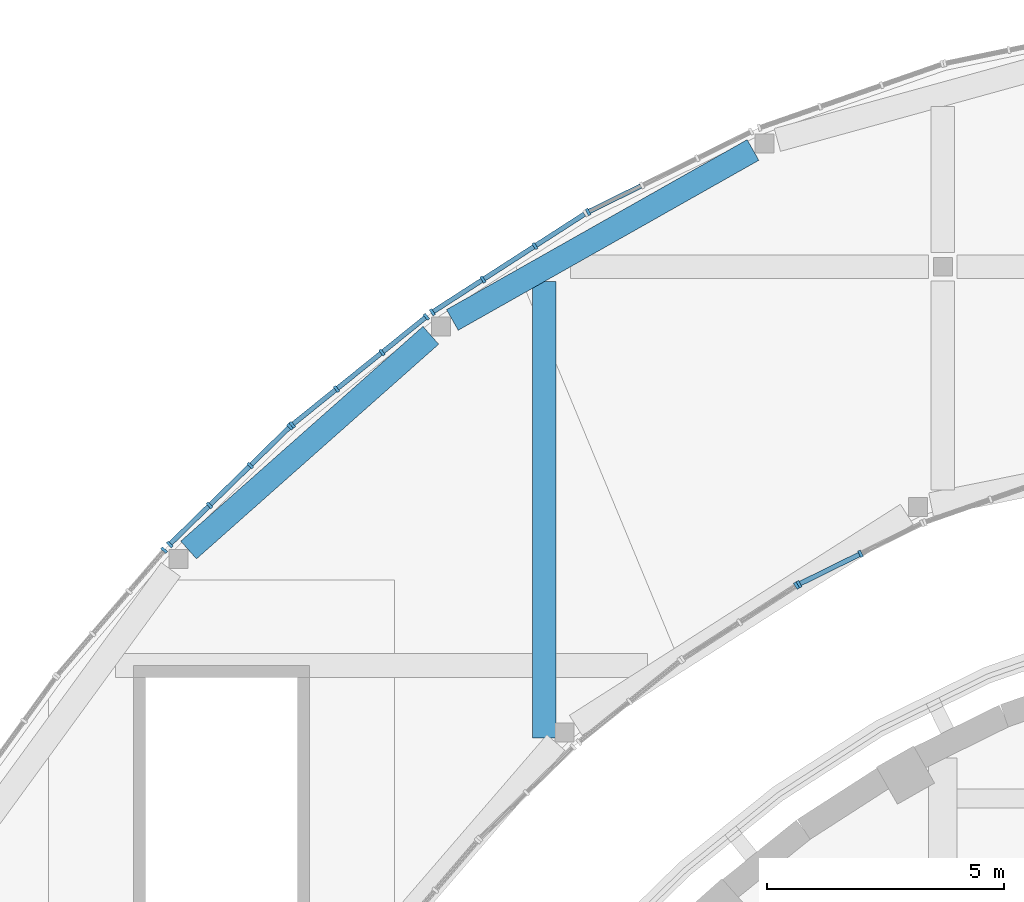
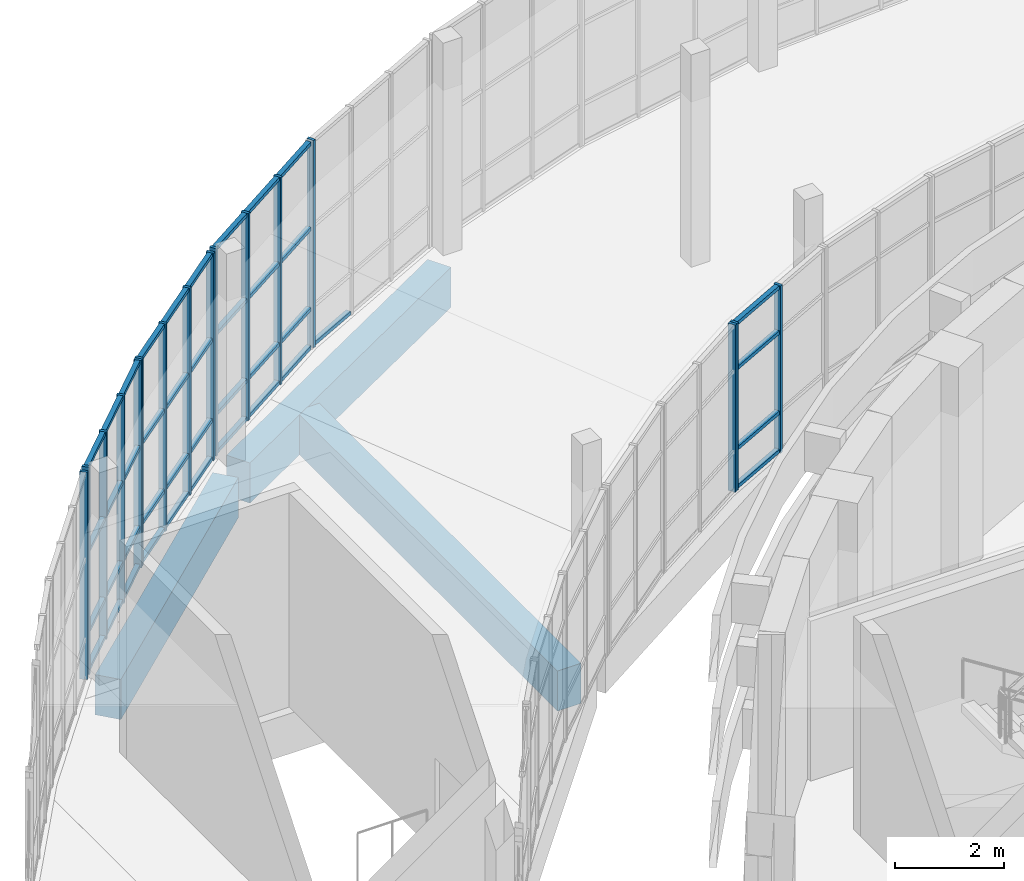
# One storey, part 20 of 103: 57 members, 3 beams, 7 elements without a shape of their own.
"""IFC4 building model written with IfcOpenShell, lengths in metres."""

from ifc_helpers import new_model, si_unit, direction, frame, origin, origin_2d, place, context, subcontext, project, spatial, rectangle, extrude, material, layer, layer_set, material_profile, profile_set, type_object, element, aggregate, save


model = new_model("IFC4")

# Units and contexts
model_context = context("Model", 3, precision=1e-05, world=origin(), true_north=direction((0.0, 1.0)))
body_context = subcontext(model_context, "Body", "Model", "MODEL_VIEW")
ifc_project = project(units=[si_unit("LENGTHUNIT", "METRE"), si_unit("AREAUNIT", "SQUARE_METRE"), si_unit("VOLUMEUNIT", "CUBIC_METRE"), si_unit("PLANEANGLEUNIT", "RADIAN"), si_unit("MASSUNIT", "GRAM", prefix="KILO")], contexts=[model_context])

# Site, building, storey
site_placement = place(None, origin())
site = spatial("IfcSite", under=ifc_project, at=site_placement, CompositionType="ELEMENT")
building_placement = place(site_placement, origin())
building = spatial("IfcBuilding", under=site, at=building_placement, Name="Larchfold Concert Hall", CompositionType="ELEMENT")
storey_placement = place(building_placement, frame((0.0, 0.0, 9.60009765625)))
storey = spatial("IfcBuildingStorey", under=building, at=storey_placement, Name="L02", CompositionType="ELEMENT", Elevation=9.60009765625)

# Curtain wall, member
ifc_material_1 = material(Name="Anodised graphite aluminium curtain wall", Category="aluminium")
ifc_layer = layer(ifc_material_1, 0.14990234375)
ifc_layer_set = layer_set([ifc_layer], Name="Anodised graphite aluminium curtain wall")
curtain_wall_type = type_object("IfcCurtainWallType", Name="Curtain wall WG", PredefinedType="NOTDEFINED", material=ifc_layer_set)
curtain_wall_1_placement = place(storey_placement, origin())
curtain_wall_1 = element("IfcCurtainWall", 1, at=curtain_wall_1_placement, inside=storey, type_object=curtain_wall_type, Name="Curtain wall CW0238", PredefinedType="NOTDEFINED")
ifc_material_2 = material(Name="Anodised graphite aluminium mullion", Category="aluminium")
ifc_material_profile_1 = material_profile(ifc_material_2, rectangle(XDim=0.14990234375, YDim=0.06005859375, at=origin_2d()))
ifc_profile_set_1 = profile_set([ifc_material_profile_1], Name="Anodised graphite aluminium mullion")
member_type_1 = type_object("IfcMemberType", Name="Aluminium mullion 60x150", PredefinedType="MULLION", material=ifc_profile_set_1)
member_1_placement = place(storey_placement, frame((31.115478515625, 119.881103515625, 0.0), z_axis=(0.0, 0.0, 1.0), x_axis=(-0.541844610619, 0.840478683813, 0.0)))
member_1 = element("IfcMember", 2, at=member_1_placement, type_object=member_type_1, Name="CW0238 mullion 3", PredefinedType="MULLION", context=body_context, shape_type="SweptSolid", body=[
    extrude(rectangle(XDim=0.14990234375, YDim=0.06005859375, at=origin_2d()), origin(), (0.0, 0.0, 1.0), 3.75),
])
aggregate(curtain_wall_1, [member_1])

# Curtain wall, members
curtain_wall_2_placement = place(storey_placement, origin())
curtain_wall_2 = element("IfcCurtainWall", 3, at=curtain_wall_2_placement, inside=storey, type_object=curtain_wall_type, Name="Curtain wall CW0239", PredefinedType="NOTDEFINED")
member_2_placement = place(storey_placement, frame((31.16748046875, 119.91064453125, 0.0), z_axis=(0.0, 0.0, 1.0), x_axis=(-0.442317057699, 0.896858751682, 0.0)))
member_2 = element("IfcMember", 4, at=member_2_placement, type_object=member_type_1, Name="CW0239 mullion 1", PredefinedType="MULLION", context=body_context, shape_type="SweptSolid", body=[
    extrude(rectangle(XDim=0.14990234375, YDim=0.06005859375, at=origin_2d()), origin(), (0.0, 0.0, 1.0), 3.75),
])
member_3_placement = place(storey_placement, frame((32.466064453125, 120.55126953125, 0.0), z_axis=(0.0, 0.0, 1.0), x_axis=(-0.442317057699, 0.896858751682, 0.0)))
member_3 = element("IfcMember", 5, at=member_3_placement, type_object=member_type_1, Name="CW0239 mullion 2", PredefinedType="MULLION", context=body_context, shape_type="SweptSolid", body=[
    extrude(rectangle(XDim=0.14990234375, YDim=0.06005859375, at=origin_2d()), origin(), (0.0, 0.0, 1.0), 3.75),
])

# Curtain wall, member
curtain_wall_3_placement = place(storey_placement, origin())
curtain_wall_3 = element("IfcCurtainWall", 6, at=curtain_wall_3_placement, inside=storey, type_object=curtain_wall_type, Name="Curtain wall CW0258", PredefinedType="NOTDEFINED")
member_4_placement = place(storey_placement, frame((26.724365234375, 127.754150390625, 0.0), z_axis=(0.0, 0.0, 1.0), x_axis=(0.442389932773, -0.896822807126, 0.0)))
member_4 = element("IfcMember", 7, at=member_4_placement, type_object=member_type_1, Name="CW0258 mullion 4", PredefinedType="MULLION", context=body_context, shape_type="SweptSolid", body=[
    extrude(rectangle(XDim=0.14990234375, YDim=0.06005859375, at=origin_2d()), origin(), (0.0, 0.0, 1.0), 4.64990234375),
])

# Curtain wall, members
curtain_wall_4_placement = place(storey_placement, origin())
curtain_wall_4 = element("IfcCurtainWall", 8, at=curtain_wall_4_placement, inside=storey, type_object=curtain_wall_type, Name="Curtain wall CW0259", PredefinedType="NOTDEFINED")
member_5_placement = place(storey_placement, frame((25.603759765625, 127.035888671875, 0.0), z_axis=(0.0, 0.0, 1.0), x_axis=(0.541790679847, -0.840513449762, 0.0)))
member_5 = element("IfcMember", 9, at=member_5_placement, type_object=member_type_1, Name="CW0259 mullion 2", PredefinedType="MULLION", context=body_context, shape_type="SweptSolid", body=[
    extrude(rectangle(XDim=0.14990234375, YDim=0.06005859375, at=origin_2d()), origin(), (0.0, 0.0, 1.0), 4.64990234375),
])
member_6_placement = place(storey_placement, frame((24.509765625, 126.330810546875, 0.0), z_axis=(0.0, 0.0, 1.0), x_axis=(0.541790679847, -0.840513449762, 0.0)))
member_6 = element("IfcMember", 10, at=member_6_placement, type_object=member_type_1, Name="CW0259 mullion 3", PredefinedType="MULLION", context=body_context, shape_type="SweptSolid", body=[
    extrude(rectangle(XDim=0.14990234375, YDim=0.06005859375, at=origin_2d()), origin(), (0.0, 0.0, 1.0), 4.64990234375),
])
member_7_placement = place(storey_placement, frame((23.441162109375, 125.64208984375, 0.0), z_axis=(0.0, 0.0, 1.0), x_axis=(0.541790679847, -0.840513449762, 0.0)))
member_7 = element("IfcMember", 11, at=member_7_placement, type_object=member_type_1, Name="CW0259 mullion 4", PredefinedType="MULLION", context=body_context, shape_type="SweptSolid", body=[
    extrude(rectangle(XDim=0.14990234375, YDim=0.06005859375, at=origin_2d()), origin(), (0.0, 0.0, 1.0), 4.64990234375),
])

curtain_wall_5_placement = place(storey_placement, origin())
curtain_wall_5 = element("IfcCurtainWall", 12, at=curtain_wall_5_placement, inside=storey, type_object=curtain_wall_type, Name="Curtain wall CW0260", PredefinedType="NOTDEFINED")
member_8_placement = place(storey_placement, frame((23.31591796875, 125.54541015625, 0.0), z_axis=(0.0, 0.0, 1.0), x_axis=(0.627001565081, -0.779017995547, 0.0)))
member_8 = element("IfcMember", 13, at=member_8_placement, type_object=member_type_1, Name="CW0260 mullion 1", PredefinedType="MULLION", context=body_context, shape_type="SweptSolid", body=[
    extrude(rectangle(XDim=0.14990234375, YDim=0.06005859375, at=origin_2d()), origin(), (0.0, 0.0, 1.0), 4.64990234375),
])
member_9_placement = place(storey_placement, frame((22.3818359375, 124.79345703125, 0.0), z_axis=(0.0, 0.0, 1.0), x_axis=(0.627001565081, -0.779017995547, 0.0)))
member_9 = element("IfcMember", 14, at=member_9_placement, type_object=member_type_1, Name="CW0260 mullion 2", PredefinedType="MULLION", context=body_context, shape_type="SweptSolid", body=[
    extrude(rectangle(XDim=0.14990234375, YDim=0.06005859375, at=origin_2d()), origin(), (0.0, 0.0, 1.0), 4.64990234375),
])
member_10_placement = place(storey_placement, frame((21.42431640625, 124.02294921875, 0.0), z_axis=(0.0, 0.0, 1.0), x_axis=(0.627001565081, -0.779017995547, 0.0)))
member_10 = element("IfcMember", 15, at=member_10_placement, type_object=member_type_1, Name="CW0260 mullion 3", PredefinedType="MULLION", context=body_context, shape_type="SweptSolid", body=[
    extrude(rectangle(XDim=0.14990234375, YDim=0.06005859375, at=origin_2d()), origin(), (0.0, 0.0, 1.0), 4.64990234375),
])
member_11_placement = place(storey_placement, frame((20.490234375, 123.27099609375, 0.0), z_axis=(0.0, 0.0, 1.0), x_axis=(0.627001565081, -0.779017995547, 0.0)))
member_11 = element("IfcMember", 16, at=member_11_placement, type_object=member_type_1, Name="CW0260 mullion 4", PredefinedType="MULLION", context=body_context, shape_type="SweptSolid", body=[
    extrude(rectangle(XDim=0.14990234375, YDim=0.06005859375, at=origin_2d()), origin(), (0.0, 0.0, 1.0), 4.64990234375),
])

curtain_wall_6_placement = place(storey_placement, origin())
curtain_wall_6 = element("IfcCurtainWall", 17, at=curtain_wall_6_placement, inside=storey, type_object=curtain_wall_type, Name="Curtain wall CW0261", PredefinedType="NOTDEFINED")
member_12_placement = place(storey_placement, frame((20.4453125, 123.231201171875, 0.0), z_axis=(0.0, 0.0, 1.0), x_axis=(0.699146072802, -0.714978859048, 0.0)))
member_12 = element("IfcMember", 18, at=member_12_placement, type_object=member_type_1, Name="CW0261 mullion 1", PredefinedType="MULLION", context=body_context, shape_type="SweptSolid", body=[
    extrude(rectangle(XDim=0.14990234375, YDim=0.06005859375, at=origin_2d()), origin(), (0.0, 0.0, 1.0), 4.64990234375),
])
member_13_placement = place(storey_placement, frame((19.60693359375, 122.411376953125, 0.0), z_axis=(0.0, 0.0, 1.0), x_axis=(0.699146072802, -0.714978859048, 0.0)))
member_13 = element("IfcMember", 19, at=member_13_placement, type_object=member_type_1, Name="CW0261 mullion 2", PredefinedType="MULLION", context=body_context, shape_type="SweptSolid", body=[
    extrude(rectangle(XDim=0.14990234375, YDim=0.06005859375, at=origin_2d()), origin(), (0.0, 0.0, 1.0), 4.64990234375),
])
member_14_placement = place(storey_placement, frame((18.746826171875, 121.5703125, 0.0), z_axis=(0.0, 0.0, 1.0), x_axis=(0.699146072802, -0.714978859048, 0.0)))
member_14 = element("IfcMember", 20, at=member_14_placement, type_object=member_type_1, Name="CW0261 mullion 3", PredefinedType="MULLION", context=body_context, shape_type="SweptSolid", body=[
    extrude(rectangle(XDim=0.14990234375, YDim=0.06005859375, at=origin_2d()), origin(), (0.0, 0.0, 1.0), 4.64990234375),
])
member_15_placement = place(storey_placement, frame((17.908447265625, 120.75048828125, 0.0), z_axis=(0.0, 0.0, 1.0), x_axis=(0.699146072802, -0.714978859048, 0.0)))
member_15 = element("IfcMember", 21, at=member_15_placement, type_object=member_type_1, Name="CW0261 mullion 4", PredefinedType="MULLION", context=body_context, shape_type="SweptSolid", body=[
    extrude(rectangle(XDim=0.14990234375, YDim=0.06005859375, at=origin_2d()), origin(), (0.0, 0.0, 1.0), 4.64990234375),
])

# Curtain wall, member
curtain_wall_7_placement = place(storey_placement, origin())
curtain_wall_7 = element("IfcCurtainWall", 22, at=curtain_wall_7_placement, inside=storey, type_object=curtain_wall_type, Name="Curtain wall CW0262", PredefinedType="NOTDEFINED")
member_16_placement = place(storey_placement, frame((17.792724609375, 120.628173828125, 0.0), z_axis=(0.0, 0.0, 1.0), x_axis=(0.759452023093, -0.650563313306, 0.0)))
member_16 = element("IfcMember", 23, at=member_16_placement, type_object=member_type_1, Name="CW0262 mullion 1", PredefinedType="MULLION", context=body_context, shape_type="SweptSolid", body=[
    extrude(rectangle(XDim=0.14990234375, YDim=0.06005859375, at=origin_2d()), origin(), (0.0, 0.0, 1.0), 4.64990234375),
])
aggregate(curtain_wall_7, [member_16])

# Member
ifc_material_3 = material(Name="Anodised graphite aluminium transom", Category="aluminium")
ifc_material_profile_2 = material_profile(ifc_material_3, rectangle(XDim=0.10009765625, YDim=0.080078125, at=origin_2d()))
ifc_profile_set_2 = profile_set([ifc_material_profile_2], Name="Anodised graphite aluminium transom")
member_type_2 = type_object("IfcMemberType", Name="Aluminium transom 80x100", PredefinedType="USERDEFINED", material=ifc_profile_set_2)
member_17_placement = place(storey_placement, frame((31.1943359375, 119.924072265625, 0.0400390625), z_axis=(0.896911011771, 0.442211077386, 0.0), x_axis=(-0.442211077386, 0.896911011771, 0.0)))
member_17 = element("IfcMember", 24, at=member_17_placement, type_object=member_type_2, Name="CW0239 transom 1.1", ObjectType="TRANSOM", PredefinedType="USERDEFINED", context=body_context, shape_type="SweptSolid", body=[
    extrude(rectangle(XDim=0.10009765625, YDim=0.080078125, at=origin_2d()), origin(), (0.0, 0.0, 1.0), 1.387939453125),
])

member_18_placement = place(storey_placement, frame((31.1943359375, 119.924072265625, 0.89990234375), z_axis=(0.896911011771, 0.442211077386, 0.0), x_axis=(-0.442211077386, 0.896911011771, 0.0)))
member_18 = element("IfcMember", 25, at=member_18_placement, type_object=member_type_2, Name="CW0239 transom 1.2", ObjectType="TRANSOM", PredefinedType="USERDEFINED", context=body_context, shape_type="SweptSolid", body=[
    extrude(rectangle(XDim=0.10009765625, YDim=0.080078125, at=origin_2d()), origin(), (0.0, 0.0, 1.0), 1.387939453125),
])

member_19_placement = place(storey_placement, frame((31.1943359375, 119.924072265625, 2.699951171875), z_axis=(0.896911011771, 0.442211077386, 0.0), x_axis=(-0.442211077386, 0.896911011771, 0.0)))
member_19 = element("IfcMember", 26, at=member_19_placement, type_object=member_type_2, Name="CW0239 transom 1.3", ObjectType="TRANSOM", PredefinedType="USERDEFINED", context=body_context, shape_type="SweptSolid", body=[
    extrude(rectangle(XDim=0.10009765625, YDim=0.080078125, at=origin_2d()), origin(), (0.0, 0.0, 1.0), 1.387939453125),
])

member_20_placement = place(storey_placement, frame((31.1943359375, 119.924072265625, 3.7099609375), z_axis=(0.896911011771, 0.442211077386, 0.0), x_axis=(-0.442211077386, 0.896911011771, 0.0)))
member_20 = element("IfcMember", 27, at=member_20_placement, type_object=member_type_2, Name="CW0239 transom 1.4", ObjectType="TRANSOM", PredefinedType="USERDEFINED", context=body_context, shape_type="SweptSolid", body=[
    extrude(rectangle(XDim=0.10009765625, YDim=0.080078125, at=origin_2d()), origin(), (0.0, 0.0, 1.0), 1.387939453125),
])

aggregate(curtain_wall_2, [member_2, member_3, member_17, member_18, member_19, member_20])

member_21_placement = place(storey_placement, frame((27.834228515625, 128.3017578125, 0.0400390625), z_axis=(-0.896840107572, -0.44235485919, 0.0), x_axis=(0.44235485919, -0.896840107572, 0.0)))
member_21 = element("IfcMember", 28, at=member_21_placement, type_object=member_type_2, Name="CW0258 transom 3.1", ObjectType="TRANSOM", PredefinedType="USERDEFINED", context=body_context, shape_type="SweptSolid", body=[
    extrude(rectangle(XDim=0.10009765625, YDim=0.080078125, at=origin_2d()), origin(), (0.0, 0.0, 1.0), 1.20751953125),
])

aggregate(curtain_wall_3, [member_4, member_21])

member_22_placement = place(storey_placement, frame((26.64697265625, 127.70849609375, 0.0400390625), z_axis=(-0.840509844048, -0.541796273573, 0.0), x_axis=(0.541796273573, -0.840509844048, 0.0)))
member_22 = element("IfcMember", 29, at=member_22_placement, type_object=member_type_2, Name="CW0259 transom 1.1", ObjectType="TRANSOM", PredefinedType="USERDEFINED", context=body_context, shape_type="SweptSolid", body=[
    extrude(rectangle(XDim=0.10009765625, YDim=0.080078125, at=origin_2d()), origin(), (0.0, 0.0, 1.0), 1.211181640625),
])

member_23_placement = place(storey_placement, frame((26.64697265625, 127.70849609375, 0.89990234375), z_axis=(-0.840509844048, -0.541796273573, 0.0), x_axis=(0.541796273573, -0.840509844048, 0.0)))
member_23 = element("IfcMember", 30, at=member_23_placement, type_object=member_type_2, Name="CW0259 transom 1.2", ObjectType="TRANSOM", PredefinedType="USERDEFINED", context=body_context, shape_type="SweptSolid", body=[
    extrude(rectangle(XDim=0.10009765625, YDim=0.080078125, at=origin_2d()), origin(), (0.0, 0.0, 1.0), 1.211181640625),
])

member_24_placement = place(storey_placement, frame((26.64697265625, 127.70849609375, 2.699951171875), z_axis=(-0.840509844048, -0.541796273573, 0.0), x_axis=(0.541796273573, -0.840509844048, 0.0)))
member_24 = element("IfcMember", 31, at=member_24_placement, type_object=member_type_2, Name="CW0259 transom 1.3", ObjectType="TRANSOM", PredefinedType="USERDEFINED", context=body_context, shape_type="SweptSolid", body=[
    extrude(rectangle(XDim=0.10009765625, YDim=0.080078125, at=origin_2d()), origin(), (0.0, 0.0, 1.0), 1.211181640625),
])

member_25_placement = place(storey_placement, frame((26.64697265625, 127.70849609375, 4.60986328125), z_axis=(-0.840509844048, -0.541796273573, 0.0), x_axis=(0.541796273573, -0.840509844048, 0.0)))
member_25 = element("IfcMember", 32, at=member_25_placement, type_object=member_type_2, Name="CW0259 transom 1.4", ObjectType="TRANSOM", PredefinedType="USERDEFINED", context=body_context, shape_type="SweptSolid", body=[
    extrude(rectangle(XDim=0.10009765625, YDim=0.080078125, at=origin_2d()), origin(), (0.0, 0.0, 1.0), 1.211181640625),
])

member_26_placement = place(storey_placement, frame((25.578369140625, 127.01953125, 0.0400390625), z_axis=(-0.840545158362, -0.54174148517, 0.0), x_axis=(0.54174148517, -0.840545158362, 0.0)))
member_26 = element("IfcMember", 33, at=member_26_placement, type_object=member_type_2, Name="CW0259 transom 2.1", ObjectType="TRANSOM", PredefinedType="USERDEFINED", context=body_context, shape_type="SweptSolid", body=[
    extrude(rectangle(XDim=0.10009765625, YDim=0.080078125, at=origin_2d()), origin(), (0.0, 0.0, 1.0), 1.2412109375),
])

member_27_placement = place(storey_placement, frame((25.578369140625, 127.01953125, 0.89990234375), z_axis=(-0.840545158362, -0.54174148517, 0.0), x_axis=(0.54174148517, -0.840545158362, 0.0)))
member_27 = element("IfcMember", 34, at=member_27_placement, type_object=member_type_2, Name="CW0259 transom 2.2", ObjectType="TRANSOM", PredefinedType="USERDEFINED", context=body_context, shape_type="SweptSolid", body=[
    extrude(rectangle(XDim=0.10009765625, YDim=0.080078125, at=origin_2d()), origin(), (0.0, 0.0, 1.0), 1.2412109375),
])

member_28_placement = place(storey_placement, frame((25.578369140625, 127.01953125, 2.699951171875), z_axis=(-0.840545158362, -0.54174148517, 0.0), x_axis=(0.54174148517, -0.840545158362, 0.0)))
member_28 = element("IfcMember", 35, at=member_28_placement, type_object=member_type_2, Name="CW0259 transom 2.3", ObjectType="TRANSOM", PredefinedType="USERDEFINED", context=body_context, shape_type="SweptSolid", body=[
    extrude(rectangle(XDim=0.10009765625, YDim=0.080078125, at=origin_2d()), origin(), (0.0, 0.0, 1.0), 1.2412109375),
])

member_29_placement = place(storey_placement, frame((25.578369140625, 127.01953125, 4.60986328125), z_axis=(-0.840545158362, -0.54174148517, 0.0), x_axis=(0.54174148517, -0.840545158362, 0.0)))
member_29 = element("IfcMember", 36, at=member_29_placement, type_object=member_type_2, Name="CW0259 transom 2.4", ObjectType="TRANSOM", PredefinedType="USERDEFINED", context=body_context, shape_type="SweptSolid", body=[
    extrude(rectangle(XDim=0.10009765625, YDim=0.080078125, at=origin_2d()), origin(), (0.0, 0.0, 1.0), 1.2412109375),
])

member_30_placement = place(storey_placement, frame((24.484619140625, 126.314453125, 0.0400390625), z_axis=(-0.840509844048, -0.541796273573, 0.0), x_axis=(0.541796273573, -0.840509844048, 0.0)))
member_30 = element("IfcMember", 37, at=member_30_placement, type_object=member_type_2, Name="CW0259 transom 3.1", ObjectType="TRANSOM", PredefinedType="USERDEFINED", context=body_context, shape_type="SweptSolid", body=[
    extrude(rectangle(XDim=0.10009765625, YDim=0.080078125, at=origin_2d()), origin(), (0.0, 0.0, 1.0), 1.211181640625),
])

member_31_placement = place(storey_placement, frame((24.484619140625, 126.314453125, 0.89990234375), z_axis=(-0.840509844048, -0.541796273573, 0.0), x_axis=(0.541796273573, -0.840509844048, 0.0)))
member_31 = element("IfcMember", 38, at=member_31_placement, type_object=member_type_2, Name="CW0259 transom 3.2", ObjectType="TRANSOM", PredefinedType="USERDEFINED", context=body_context, shape_type="SweptSolid", body=[
    extrude(rectangle(XDim=0.10009765625, YDim=0.080078125, at=origin_2d()), origin(), (0.0, 0.0, 1.0), 1.211181640625),
])

member_32_placement = place(storey_placement, frame((24.484619140625, 126.314453125, 2.699951171875), z_axis=(-0.840509844048, -0.541796273573, 0.0), x_axis=(0.541796273573, -0.840509844048, 0.0)))
member_32 = element("IfcMember", 39, at=member_32_placement, type_object=member_type_2, Name="CW0259 transom 3.3", ObjectType="TRANSOM", PredefinedType="USERDEFINED", context=body_context, shape_type="SweptSolid", body=[
    extrude(rectangle(XDim=0.10009765625, YDim=0.080078125, at=origin_2d()), origin(), (0.0, 0.0, 1.0), 1.211181640625),
])

member_33_placement = place(storey_placement, frame((24.484619140625, 126.314453125, 4.60986328125), z_axis=(-0.840509844048, -0.541796273573, 0.0), x_axis=(0.541796273573, -0.840509844048, 0.0)))
member_33 = element("IfcMember", 40, at=member_33_placement, type_object=member_type_2, Name="CW0259 transom 3.4", ObjectType="TRANSOM", PredefinedType="USERDEFINED", context=body_context, shape_type="SweptSolid", body=[
    extrude(rectangle(XDim=0.10009765625, YDim=0.080078125, at=origin_2d()), origin(), (0.0, 0.0, 1.0), 1.211181640625),
])

aggregate(curtain_wall_4, [member_5, member_6, member_7, member_22, member_23, member_24, member_25, member_26, member_27, member_28, member_29, member_30, member_31, member_32, member_33])

member_34_placement = place(storey_placement, frame((23.292724609375, 125.526611328125, 0.0400390625), z_axis=(-0.778983601012, -0.627044296166, 0.0), x_axis=(0.627044296166, -0.778983601012, 0.0)))
member_34 = element("IfcMember", 41, at=member_34_placement, type_object=member_type_2, Name="CW0260 transom 1.1", ObjectType="TRANSOM", PredefinedType="USERDEFINED", context=body_context, shape_type="SweptSolid", body=[
    extrude(rectangle(XDim=0.10009765625, YDim=0.080078125, at=origin_2d()), origin(), (0.0, 0.0, 1.0), 1.13916015625),
])

member_35_placement = place(storey_placement, frame((23.292724609375, 125.526611328125, 0.89990234375), z_axis=(-0.778983601012, -0.627044296166, 0.0), x_axis=(0.627044296166, -0.778983601012, 0.0)))
member_35 = element("IfcMember", 42, at=member_35_placement, type_object=member_type_2, Name="CW0260 transom 1.2", ObjectType="TRANSOM", PredefinedType="USERDEFINED", context=body_context, shape_type="SweptSolid", body=[
    extrude(rectangle(XDim=0.10009765625, YDim=0.080078125, at=origin_2d()), origin(), (0.0, 0.0, 1.0), 1.13916015625),
])

member_36_placement = place(storey_placement, frame((23.292724609375, 125.526611328125, 2.699951171875), z_axis=(-0.778983601012, -0.627044296166, 0.0), x_axis=(0.627044296166, -0.778983601012, 0.0)))
member_36 = element("IfcMember", 43, at=member_36_placement, type_object=member_type_2, Name="CW0260 transom 1.3", ObjectType="TRANSOM", PredefinedType="USERDEFINED", context=body_context, shape_type="SweptSolid", body=[
    extrude(rectangle(XDim=0.10009765625, YDim=0.080078125, at=origin_2d()), origin(), (0.0, 0.0, 1.0), 1.13916015625),
])

member_37_placement = place(storey_placement, frame((23.292724609375, 125.526611328125, 4.60986328125), z_axis=(-0.778983601012, -0.627044296166, 0.0), x_axis=(0.627044296166, -0.778983601012, 0.0)))
member_37 = element("IfcMember", 44, at=member_37_placement, type_object=member_type_2, Name="CW0260 transom 1.4", ObjectType="TRANSOM", PredefinedType="USERDEFINED", context=body_context, shape_type="SweptSolid", body=[
    extrude(rectangle(XDim=0.10009765625, YDim=0.080078125, at=origin_2d()), origin(), (0.0, 0.0, 1.0), 1.13916015625),
])

member_38_placement = place(storey_placement, frame((22.3583984375, 124.774658203125, 0.0400390625), z_axis=(-0.779031590247, -0.626984673973, 0.0), x_axis=(0.626984673973, -0.779031590247, 0.0)))
member_38 = element("IfcMember", 45, at=member_38_placement, type_object=member_type_2, Name="CW0260 transom 2.1", ObjectType="TRANSOM", PredefinedType="USERDEFINED", context=body_context, shape_type="SweptSolid", body=[
    extrude(rectangle(XDim=0.10009765625, YDim=0.080078125, at=origin_2d()), origin(), (0.0, 0.0, 1.0), 1.1689453125),
])

member_39_placement = place(storey_placement, frame((22.3583984375, 124.774658203125, 0.89990234375), z_axis=(-0.779031590247, -0.626984673973, 0.0), x_axis=(0.626984673973, -0.779031590247, 0.0)))
member_39 = element("IfcMember", 46, at=member_39_placement, type_object=member_type_2, Name="CW0260 transom 2.2", ObjectType="TRANSOM", PredefinedType="USERDEFINED", context=body_context, shape_type="SweptSolid", body=[
    extrude(rectangle(XDim=0.10009765625, YDim=0.080078125, at=origin_2d()), origin(), (0.0, 0.0, 1.0), 1.1689453125),
])

member_40_placement = place(storey_placement, frame((22.3583984375, 124.774658203125, 2.699951171875), z_axis=(-0.779031590247, -0.626984673973, 0.0), x_axis=(0.626984673973, -0.779031590247, 0.0)))
member_40 = element("IfcMember", 47, at=member_40_placement, type_object=member_type_2, Name="CW0260 transom 2.3", ObjectType="TRANSOM", PredefinedType="USERDEFINED", context=body_context, shape_type="SweptSolid", body=[
    extrude(rectangle(XDim=0.10009765625, YDim=0.080078125, at=origin_2d()), origin(), (0.0, 0.0, 1.0), 1.1689453125),
])

member_41_placement = place(storey_placement, frame((22.3583984375, 124.774658203125, 4.60986328125), z_axis=(-0.779031590247, -0.626984673973, 0.0), x_axis=(0.626984673973, -0.779031590247, 0.0)))
member_41 = element("IfcMember", 48, at=member_41_placement, type_object=member_type_2, Name="CW0260 transom 2.4", ObjectType="TRANSOM", PredefinedType="USERDEFINED", context=body_context, shape_type="SweptSolid", body=[
    extrude(rectangle(XDim=0.10009765625, YDim=0.080078125, at=origin_2d()), origin(), (0.0, 0.0, 1.0), 1.1689453125),
])

member_42_placement = place(storey_placement, frame((21.40087890625, 124.004150390625, 0.0400390625), z_axis=(-0.778983601012, -0.627044296166, 0.0), x_axis=(0.627044296166, -0.778983601012, 0.0)))
member_42 = element("IfcMember", 49, at=member_42_placement, type_object=member_type_2, Name="CW0260 transom 3.1", ObjectType="TRANSOM", PredefinedType="USERDEFINED", context=body_context, shape_type="SweptSolid", body=[
    extrude(rectangle(XDim=0.10009765625, YDim=0.080078125, at=origin_2d()), origin(), (0.0, 0.0, 1.0), 1.13916015625),
])

member_43_placement = place(storey_placement, frame((21.40087890625, 124.004150390625, 0.89990234375), z_axis=(-0.778983601012, -0.627044296166, 0.0), x_axis=(0.627044296166, -0.778983601012, 0.0)))
member_43 = element("IfcMember", 50, at=member_43_placement, type_object=member_type_2, Name="CW0260 transom 3.2", ObjectType="TRANSOM", PredefinedType="USERDEFINED", context=body_context, shape_type="SweptSolid", body=[
    extrude(rectangle(XDim=0.10009765625, YDim=0.080078125, at=origin_2d()), origin(), (0.0, 0.0, 1.0), 1.13916015625),
])

member_44_placement = place(storey_placement, frame((21.40087890625, 124.004150390625, 2.699951171875), z_axis=(-0.778983601012, -0.627044296166, 0.0), x_axis=(0.627044296166, -0.778983601012, 0.0)))
member_44 = element("IfcMember", 51, at=member_44_placement, type_object=member_type_2, Name="CW0260 transom 3.3", ObjectType="TRANSOM", PredefinedType="USERDEFINED", context=body_context, shape_type="SweptSolid", body=[
    extrude(rectangle(XDim=0.10009765625, YDim=0.080078125, at=origin_2d()), origin(), (0.0, 0.0, 1.0), 1.13916015625),
])

member_45_placement = place(storey_placement, frame((21.40087890625, 124.004150390625, 4.60986328125), z_axis=(-0.778983601012, -0.627044296166, 0.0), x_axis=(0.627044296166, -0.778983601012, 0.0)))
member_45 = element("IfcMember", 52, at=member_45_placement, type_object=member_type_2, Name="CW0260 transom 3.4", ObjectType="TRANSOM", PredefinedType="USERDEFINED", context=body_context, shape_type="SweptSolid", body=[
    extrude(rectangle(XDim=0.10009765625, YDim=0.080078125, at=origin_2d()), origin(), (0.0, 0.0, 1.0), 1.13916015625),
])

aggregate(curtain_wall_5, [member_8, member_9, member_10, member_11, member_34, member_35, member_36, member_37, member_38, member_39, member_40, member_41, member_42, member_43, member_44, member_45])

member_46_placement = place(storey_placement, frame((20.423828125, 123.210205078125, 0.0400390625), z_axis=(-0.714962789011, -0.699162506381, 0.0), x_axis=(0.699162506381, -0.714962789011, 0.0)))
member_46 = element("IfcMember", 53, at=member_46_placement, type_object=member_type_2, Name="CW0261 transom 1.1", ObjectType="TRANSOM", PredefinedType="USERDEFINED", context=body_context, shape_type="SweptSolid", body=[
    extrude(rectangle(XDim=0.10009765625, YDim=0.080078125, at=origin_2d()), origin(), (0.0, 0.0, 1.0), 1.112548828125),
])

member_47_placement = place(storey_placement, frame((20.423828125, 123.210205078125, 0.89990234375), z_axis=(-0.714962789011, -0.699162506381, 0.0), x_axis=(0.699162506381, -0.714962789011, 0.0)))
member_47 = element("IfcMember", 54, at=member_47_placement, type_object=member_type_2, Name="CW0261 transom 1.2", ObjectType="TRANSOM", PredefinedType="USERDEFINED", context=body_context, shape_type="SweptSolid", body=[
    extrude(rectangle(XDim=0.10009765625, YDim=0.080078125, at=origin_2d()), origin(), (0.0, 0.0, 1.0), 1.112548828125),
])

member_48_placement = place(storey_placement, frame((20.423828125, 123.210205078125, 2.699951171875), z_axis=(-0.714962789011, -0.699162506381, 0.0), x_axis=(0.699162506381, -0.714962789011, 0.0)))
member_48 = element("IfcMember", 55, at=member_48_placement, type_object=member_type_2, Name="CW0261 transom 1.3", ObjectType="TRANSOM", PredefinedType="USERDEFINED", context=body_context, shape_type="SweptSolid", body=[
    extrude(rectangle(XDim=0.10009765625, YDim=0.080078125, at=origin_2d()), origin(), (0.0, 0.0, 1.0), 1.112548828125),
])

member_49_placement = place(storey_placement, frame((20.423828125, 123.210205078125, 4.60986328125), z_axis=(-0.714962789011, -0.699162506381, 0.0), x_axis=(0.699162506381, -0.714962789011, 0.0)))
member_49 = element("IfcMember", 56, at=member_49_placement, type_object=member_type_2, Name="CW0261 transom 1.4", ObjectType="TRANSOM", PredefinedType="USERDEFINED", context=body_context, shape_type="SweptSolid", body=[
    extrude(rectangle(XDim=0.10009765625, YDim=0.080078125, at=origin_2d()), origin(), (0.0, 0.0, 1.0), 1.112548828125),
])

member_50_placement = place(storey_placement, frame((19.58544921875, 122.390380859375, 0.0400390625), z_axis=(-0.714966328683, -0.699158886698, 0.0), x_axis=(0.699158886698, -0.714966328683, 0.0)))
member_50 = element("IfcMember", 57, at=member_50_placement, type_object=member_type_2, Name="CW0261 transom 2.1", ObjectType="TRANSOM", PredefinedType="USERDEFINED", context=body_context, shape_type="SweptSolid", body=[
    extrude(rectangle(XDim=0.10009765625, YDim=0.080078125, at=origin_2d()), origin(), (0.0, 0.0, 1.0), 1.142822265625),
])

member_51_placement = place(storey_placement, frame((19.58544921875, 122.390380859375, 0.89990234375), z_axis=(-0.714966328683, -0.699158886698, 0.0), x_axis=(0.699158886698, -0.714966328683, 0.0)))
member_51 = element("IfcMember", 58, at=member_51_placement, type_object=member_type_2, Name="CW0261 transom 2.2", ObjectType="TRANSOM", PredefinedType="USERDEFINED", context=body_context, shape_type="SweptSolid", body=[
    extrude(rectangle(XDim=0.10009765625, YDim=0.080078125, at=origin_2d()), origin(), (0.0, 0.0, 1.0), 1.142822265625),
])

member_52_placement = place(storey_placement, frame((19.58544921875, 122.390380859375, 2.699951171875), z_axis=(-0.714966328683, -0.699158886698, 0.0), x_axis=(0.699158886698, -0.714966328683, 0.0)))
member_52 = element("IfcMember", 59, at=member_52_placement, type_object=member_type_2, Name="CW0261 transom 2.3", ObjectType="TRANSOM", PredefinedType="USERDEFINED", context=body_context, shape_type="SweptSolid", body=[
    extrude(rectangle(XDim=0.10009765625, YDim=0.080078125, at=origin_2d()), origin(), (0.0, 0.0, 1.0), 1.142822265625),
])

member_53_placement = place(storey_placement, frame((19.58544921875, 122.390380859375, 4.60986328125), z_axis=(-0.714966328683, -0.699158886698, 0.0), x_axis=(0.699158886698, -0.714966328683, 0.0)))
member_53 = element("IfcMember", 60, at=member_53_placement, type_object=member_type_2, Name="CW0261 transom 2.4", ObjectType="TRANSOM", PredefinedType="USERDEFINED", context=body_context, shape_type="SweptSolid", body=[
    extrude(rectangle(XDim=0.10009765625, YDim=0.080078125, at=origin_2d()), origin(), (0.0, 0.0, 1.0), 1.142822265625),
])

member_54_placement = place(storey_placement, frame((18.725341796875, 121.54931640625, 0.0400390625), z_axis=(-0.714962789011, -0.699162506381, 0.0), x_axis=(0.699162506381, -0.714962789011, 0.0)))
member_54 = element("IfcMember", 61, at=member_54_placement, type_object=member_type_2, Name="CW0261 transom 3.1", ObjectType="TRANSOM", PredefinedType="USERDEFINED", context=body_context, shape_type="SweptSolid", body=[
    extrude(rectangle(XDim=0.10009765625, YDim=0.080078125, at=origin_2d()), origin(), (0.0, 0.0, 1.0), 1.112548828125),
])

member_55_placement = place(storey_placement, frame((18.725341796875, 121.54931640625, 0.89990234375), z_axis=(-0.714962789011, -0.699162506381, 0.0), x_axis=(0.699162506381, -0.714962789011, 0.0)))
member_55 = element("IfcMember", 62, at=member_55_placement, type_object=member_type_2, Name="CW0261 transom 3.2", ObjectType="TRANSOM", PredefinedType="USERDEFINED", context=body_context, shape_type="SweptSolid", body=[
    extrude(rectangle(XDim=0.10009765625, YDim=0.080078125, at=origin_2d()), origin(), (0.0, 0.0, 1.0), 1.112548828125),
])

member_56_placement = place(storey_placement, frame((18.725341796875, 121.54931640625, 2.699951171875), z_axis=(-0.714962789011, -0.699162506381, 0.0), x_axis=(0.699162506381, -0.714962789011, 0.0)))
member_56 = element("IfcMember", 63, at=member_56_placement, type_object=member_type_2, Name="CW0261 transom 3.3", ObjectType="TRANSOM", PredefinedType="USERDEFINED", context=body_context, shape_type="SweptSolid", body=[
    extrude(rectangle(XDim=0.10009765625, YDim=0.080078125, at=origin_2d()), origin(), (0.0, 0.0, 1.0), 1.112548828125),
])

member_57_placement = place(storey_placement, frame((18.725341796875, 121.54931640625, 4.60986328125), z_axis=(-0.714962789011, -0.699162506381, 0.0), x_axis=(0.699162506381, -0.714962789011, 0.0)))
member_57 = element("IfcMember", 64, at=member_57_placement, type_object=member_type_2, Name="CW0261 transom 3.4", ObjectType="TRANSOM", PredefinedType="USERDEFINED", context=body_context, shape_type="SweptSolid", body=[
    extrude(rectangle(XDim=0.10009765625, YDim=0.080078125, at=origin_2d()), origin(), (0.0, 0.0, 1.0), 1.112548828125),
])

aggregate(curtain_wall_6, [member_12, member_13, member_14, member_15, member_46, member_47, member_48, member_49, member_50, member_51, member_52, member_53, member_54, member_55, member_56, member_57])

# Beams
ifc_material_4 = material(Name="Concrete C35/45", Category="concrete")
ifc_material_profile_3 = material_profile(ifc_material_4, rectangle(XDim=0.5, YDim=0.89990234375, at=origin_2d()))
ifc_profile_set_3 = profile_set([ifc_material_profile_3], Name="Concrete C35/45")
beam_type = type_object("IfcBeamType", Name="Beam RC 500x900", PredefinedType="BEAM", material=ifc_profile_set_3)
beam_1_placement = place(storey_placement, frame((18.306640625, 120.630615234375, -0.60009765625), z_axis=(0.748346535457, 0.663307969852, 0.0), x_axis=(-0.663307969852, 0.748346535457, 0.0)))
element("IfcBeam", 65, at=beam_1_placement, inside=storey, type_object=beam_type, Name="Beam B1946", PredefinedType="BEAM", context=body_context, shape_type="SweptSolid", body=[
    extrude(rectangle(XDim=0.5, YDim=0.89990234375, at=origin_2d()), origin(), (0.0, 0.0, 1.0), 6.8212890625),
])
beam_2_placement = place(storey_placement, frame((23.86474609375, 125.478759765625, -0.60009765625), z_axis=(0.870492845595, 0.492181070103, 0.0), x_axis=(-0.492181070103, 0.870492845595, 0.0)))
element("IfcBeam", 66, at=beam_2_placement, inside=storey, type_object=beam_type, Name="Beam B1947", PredefinedType="BEAM", context=body_context, shape_type="SweptSolid", body=[
    extrude(rectangle(XDim=0.5, YDim=0.89990234375, at=origin_2d()), origin(), (0.0, 0.0, 1.0), 7.27685546875),
])
beam_3_placement = place(storey_placement, frame((25.800048828125, 116.67138671875, -0.60009765625), z_axis=(0.0, 1.0, 0.0), x_axis=(-1.0, 0.0, 0.0)))
element("IfcBeam", 67, at=beam_3_placement, inside=storey, type_object=beam_type, Name="Beam B1970", PredefinedType="BEAM", context=body_context, shape_type="SweptSolid", body=[
    extrude(rectangle(XDim=0.5, YDim=0.89990234375, at=origin_2d()), origin(), (0.0, 0.0, 1.0), 9.6142578125),
])

save(model, "model.ifc")
